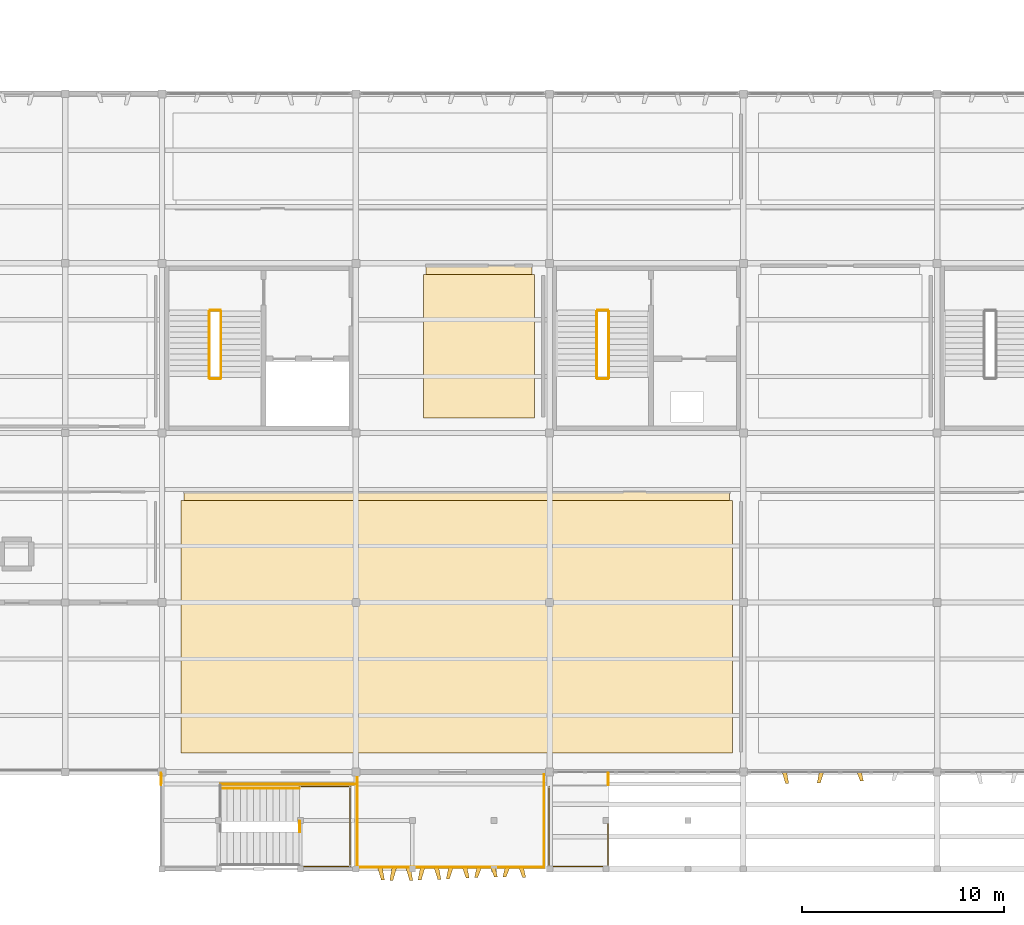
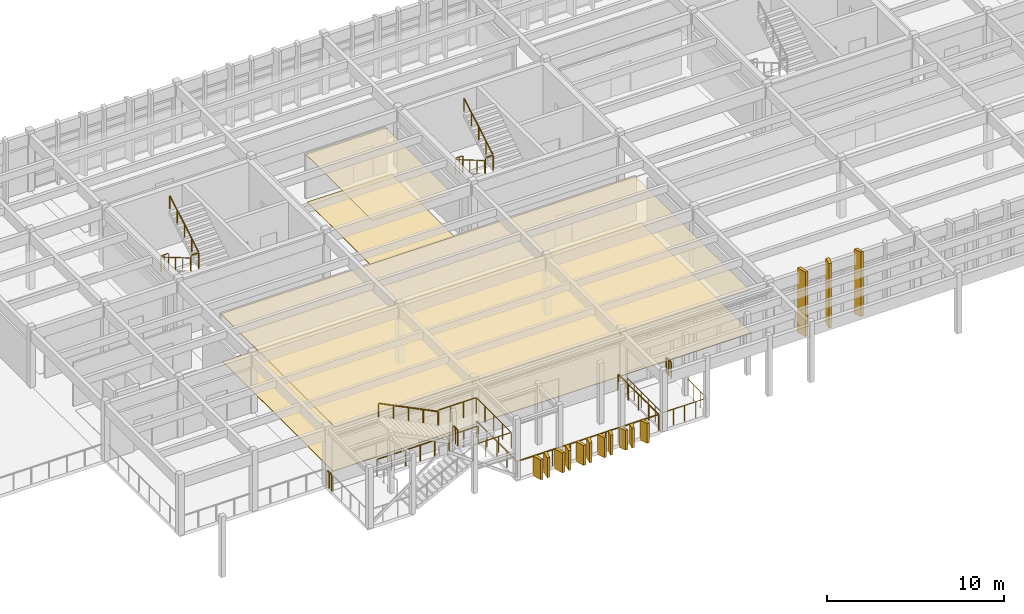
# One storey, part 38 of 42: 18 coverings, 18 railings.
"""IFC4 building model written with IfcOpenShell, lengths in metres."""

from ifc_helpers import new_model, si_unit, direction, frame, origin, origin_2d, place, context, subcontext, project, spatial, polyline, circle, outline, extrude, material, layer, layer_set, type_object, element, save


model = new_model("IFC4")

# Units and contexts
model_context = context("Model", 3, precision=1e-05, world=origin(), true_north=direction((0.0, 1.0)))
body_context = subcontext(model_context, "Body", "Model", "MODEL_VIEW")
ifc_project = project(units=[si_unit("LENGTHUNIT", "METRE"), si_unit("AREAUNIT", "SQUARE_METRE"), si_unit("VOLUMEUNIT", "CUBIC_METRE"), si_unit("PLANEANGLEUNIT", "RADIAN"), si_unit("MASSUNIT", "GRAM", prefix="KILO")], contexts=[model_context])

# Site, building, storey
site_placement = place(None, origin())
site = spatial("IfcSite", under=ifc_project, at=site_placement, CompositionType="ELEMENT")
building_placement = place(site_placement, origin())
building = spatial("IfcBuilding", under=site, at=building_placement, Name="Kolvemor Railside Polytechnic", CompositionType="ELEMENT")
storey_placement = place(building_placement, frame((0.0, 0.0, 14.39990234375)))
storey = spatial("IfcBuildingStorey", under=building, at=storey_placement, Name="L03", CompositionType="ELEMENT", Elevation=14.39990234375)

# Coverings
ifc_material_1 = material(Name="Perforated acoustic mineral-fibre and timber-slat ceiling", Category="wood")
ifc_layer_1 = layer(ifc_material_1, 0.034912109375, Name="COV-CEIL-3")
ifc_layer_set_1 = layer_set([ifc_layer_1], Name="Perforated acoustic mineral-fibre and timber-slat ceiling")
covering_type_1 = type_object("IfcCoveringType", Name="COV-CEIL-3", PredefinedType="CEILING", material=ifc_layer_set_1)
covering_1_placement = place(storey_placement, frame((0.0, 0.0, 2.9951171875)))
element("IfcCovering", 1, at=covering_1_placement, inside=storey, type_object=covering_type_1, Name="Optics and Photonics Laboratory Acoustic Ceiling", PredefinedType="CEILING", context=body_context, shape_type="SweptSolid", body=[
    extrude(outline(polyline([(80.280029296875, 22.35009765625), (85.52001953125, 22.35009765625), (85.52001953125, 29.8798828125), (80.280029296875, 29.8798828125), (80.280029296875, 22.35009765625)])), origin(), (0.0, 0.0, 1.0), 0.034912109375),
])
ifc_material_2 = material(Name="Perforated acoustic mineral-fibre and timber-slat ceiling", Category="wood")
ifc_layer_2 = layer(ifc_material_2, 0.0400390625, Name="COV-CEIL-4")
ifc_layer_set_2 = layer_set([ifc_layer_2], Name="Perforated acoustic mineral-fibre and timber-slat ceiling")
covering_type_2 = type_object("IfcCoveringType", Name="COV-CEIL-4", PredefinedType="CEILING", material=ifc_layer_set_2)
covering_2_placement = place(storey_placement, frame((0.0, 0.0, 2.989990234375)))
element("IfcCovering", 2, at=covering_2_placement, inside=storey, type_object=covering_type_2, Name="Structural Timber Engineering Design Studio Acoustic Ceiling", PredefinedType="CEILING", context=body_context, shape_type="SweptSolid", body=[
    extrude(outline(polyline([(68.280029296875, 5.75), (95.320068359375, 5.75), (95.320068359375, 18.679931640625), (68.280029296875, 18.679931640625), (68.280029296875, 5.75)])), origin(), (0.0, 0.0, 1.0), 0.0400390625),
])
ifc_material_3 = material(Name="Champagne-bronze PVDF-anodised marine aluminium 5052-H32", Category="aluminium")
ifc_layer_3 = layer(ifc_material_3, 0.179931640625, Name="COV-FIN-CHAMP")
ifc_layer_set_3 = layer_set([ifc_layer_3], Name="Champagne-bronze PVDF-anodised marine aluminium 5052-H32")
covering_type_3 = type_object("IfcCoveringType", Name="COV-FIN-CHAMP", PredefinedType="CLADDING", material=ifc_layer_set_3)
covering_3_placement = place(storey_placement, frame((0.0, 0.0, -0.219970703125)))
element("IfcCovering", 3, at=covering_3_placement, inside=storey, type_object=covering_type_3, Name="Pleated Solar Fin L03-0844", PredefinedType="CLADDING", context=body_context, shape_type="SweptSolid", body=[
    extrude(outline(polyline([(77.885009765625, 0.034912109375), (78.114990234375, 0.034912109375), (78.219970703125, -0.54296875), (78.06005859375, -0.54296875), (77.885009765625, 0.034912109375)])), origin(), (0.0, 0.0, 1.0), 1.3701171875),
])
covering_4_placement = place(storey_placement, frame((0.0, 0.0, -0.219970703125)))
element("IfcCovering", 4, at=covering_4_placement, inside=storey, type_object=covering_type_3, Name="Pleated Solar Fin L03-0845", PredefinedType="CLADDING", context=body_context, shape_type="SweptSolid", body=[
    extrude(outline(polyline([(78.5849609375, 0.034912109375), (78.81494140625, 0.034912109375), (78.639892578125, -0.56103515625), (78.47998046875, -0.56103515625), (78.5849609375, 0.034912109375)])), origin(), (0.0, 0.0, 1.0), 1.3701171875),
])
covering_5_placement = place(storey_placement, frame((0.0, 0.0, -0.219970703125)))
element("IfcCovering", 5, at=covering_5_placement, inside=storey, type_object=covering_type_3, Name="Pleated Solar Fin L03-0846", PredefinedType="CLADDING", context=body_context, shape_type="SweptSolid", body=[
    extrude(outline(polyline([(79.284912109375, 0.034912109375), (79.514892578125, 0.034912109375), (79.6201171875, -0.56396484375), (79.4599609375, -0.56396484375), (79.284912109375, 0.034912109375)])), origin(), (0.0, 0.0, 1.0), 1.3701171875),
])
covering_6_placement = place(storey_placement, frame((0.0, 0.0, -0.219970703125)))
element("IfcCovering", 6, at=covering_6_placement, inside=storey, type_object=covering_type_3, Name="Pleated Solar Fin L03-0847", PredefinedType="CLADDING", context=body_context, shape_type="SweptSolid", body=[
    extrude(outline(polyline([(79.985107421875, 0.034912109375), (80.215087890625, 0.034912109375), (80.0400390625, -0.549072265625), (79.8798828125, -0.549072265625), (79.985107421875, 0.034912109375)])), origin(), (0.0, 0.0, 1.0), 1.3701171875),
])
covering_7_placement = place(storey_placement, frame((0.0, 0.0, -0.219970703125)))
element("IfcCovering", 7, at=covering_7_placement, inside=storey, type_object=covering_type_3, Name="Pleated Solar Fin L03-0848", PredefinedType="CLADDING", context=body_context, shape_type="SweptSolid", body=[
    extrude(outline(polyline([(80.68505859375, 0.034912109375), (80.9150390625, 0.034912109375), (81.02001953125, -0.52099609375), (80.860107421875, -0.52099609375), (80.68505859375, 0.034912109375)])), origin(), (0.0, 0.0, 1.0), 1.3701171875),
])
covering_8_placement = place(storey_placement, frame((0.0, 0.0, -0.219970703125)))
element("IfcCovering", 8, at=covering_8_placement, inside=storey, type_object=covering_type_3, Name="Pleated Solar Fin L03-0849", PredefinedType="CLADDING", context=body_context, shape_type="SweptSolid", body=[
    extrude(outline(polyline([(81.385009765625, 0.034912109375), (81.614990234375, 0.034912109375), (81.43994140625, -0.485107421875), (81.280029296875, -0.485107421875), (81.385009765625, 0.034912109375)])), origin(), (0.0, 0.0, 1.0), 1.3701171875),
])
covering_9_placement = place(storey_placement, frame((0.0, 0.0, -0.219970703125)))
element("IfcCovering", 9, at=covering_9_placement, inside=storey, type_object=covering_type_3, Name="Pleated Solar Fin L03-0850", PredefinedType="CLADDING", context=body_context, shape_type="SweptSolid", body=[
    extrude(outline(polyline([(82.0849609375, 0.034912109375), (82.31494140625, 0.034912109375), (82.419921875, -0.448974609375), (82.260009765625, -0.448974609375), (82.0849609375, 0.034912109375)])), origin(), (0.0, 0.0, 1.0), 1.3701171875),
])
covering_10_placement = place(storey_placement, frame((0.0, 0.0, -0.219970703125)))
element("IfcCovering", 10, at=covering_10_placement, inside=storey, type_object=covering_type_3, Name="Pleated Solar Fin L03-0851", PredefinedType="CLADDING", context=body_context, shape_type="SweptSolid", body=[
    extrude(outline(polyline([(82.784912109375, 0.034912109375), (83.014892578125, 0.034912109375), (82.840087890625, -0.4208984375), (82.679931640625, -0.4208984375), (82.784912109375, 0.034912109375)])), origin(), (0.0, 0.0, 1.0), 1.3701171875),
])
covering_11_placement = place(storey_placement, frame((0.0, 0.0, -0.219970703125)))
element("IfcCovering", 11, at=covering_11_placement, inside=storey, type_object=covering_type_3, Name="Pleated Solar Fin L03-0852", PredefinedType="CLADDING", context=body_context, shape_type="SweptSolid", body=[
    extrude(outline(polyline([(83.485107421875, 0.034912109375), (83.715087890625, 0.034912109375), (83.820068359375, -0.406005859375), (83.659912109375, -0.406005859375), (83.485107421875, 0.034912109375)])), origin(), (0.0, 0.0, 1.0), 1.3701171875),
])
covering_12_placement = place(storey_placement, frame((0.0, 0.0, -0.219970703125)))
element("IfcCovering", 12, at=covering_12_placement, inside=storey, type_object=covering_type_3, Name="Pleated Solar Fin L03-0853", PredefinedType="CLADDING", context=body_context, shape_type="SweptSolid", body=[
    extrude(outline(polyline([(84.18505859375, 0.034912109375), (84.4150390625, 0.034912109375), (84.239990234375, -0.408935546875), (84.080078125, -0.408935546875), (84.18505859375, 0.034912109375)])), origin(), (0.0, 0.0, 1.0), 1.3701171875),
])
covering_13_placement = place(storey_placement, frame((0.0, 0.0, -0.219970703125)))
element("IfcCovering", 13, at=covering_13_placement, inside=storey, type_object=covering_type_3, Name="Pleated Solar Fin L03-0854", PredefinedType="CLADDING", context=body_context, shape_type="SweptSolid", body=[
    extrude(outline(polyline([(84.885009765625, 0.034912109375), (85.114990234375, 0.034912109375), (85.219970703125, -0.427001953125), (85.06005859375, -0.427001953125), (84.885009765625, 0.034912109375)])), origin(), (0.0, 0.0, 1.0), 1.3701171875),
])
ifc_material_4 = material(Name="Sea-mist PVDF-anodised marine aluminium 5052-H32", Category="aluminium")
ifc_layer_4 = layer(ifc_material_4, 0.159912109375, Name="COV-FIN-MIST")
ifc_layer_set_4 = layer_set([ifc_layer_4], Name="Sea-mist PVDF-anodised marine aluminium 5052-H32")
covering_type_4 = type_object("IfcCoveringType", Name="COV-FIN-MIST", PredefinedType="CLADDING", material=ifc_layer_set_4)
covering_14_placement = place(storey_placement, frame((0.0, 0.0, -0.25)))
element("IfcCovering", 14, at=covering_14_placement, inside=storey, type_object=covering_type_4, Name="Pleated Solar Fin L03-0372", PredefinedType="CLADDING", context=body_context, shape_type="SweptSolid", body=[
    extrude(outline(polyline([(97.909912109375, 4.8349609375), (98.139892578125, 4.8349609375), (98.2451171875, 4.237060546875), (98.0849609375, 4.237060546875), (97.909912109375, 4.8349609375)])), origin(), (0.0, 0.0, 1.0), 4.4501953125),
])
covering_15_placement = place(storey_placement, frame((0.0, 0.0, -0.25)))
element("IfcCovering", 15, at=covering_15_placement, inside=storey, type_object=covering_type_4, Name="Pleated Solar Fin L03-0373", PredefinedType="CLADDING", context=body_context, shape_type="SweptSolid", body=[
    extrude(outline(polyline([(99.760009765625, 4.8349609375), (99.989990234375, 4.8349609375), (99.81494140625, 4.26904296875), (99.655029296875, 4.26904296875), (99.760009765625, 4.8349609375)])), origin(), (0.0, 0.0, 1.0), 4.4501953125),
])
covering_16_placement = place(storey_placement, frame((0.0, 0.0, -0.25)))
element("IfcCovering", 16, at=covering_16_placement, inside=storey, type_object=covering_type_4, Name="Pleated Solar Fin L03-0374", PredefinedType="CLADDING", context=body_context, shape_type="SweptSolid", body=[
    extrude(outline(polyline([(101.610107421875, 4.8349609375), (101.840087890625, 4.8349609375), (101.945068359375, 4.361083984375), (101.784912109375, 4.361083984375), (101.610107421875, 4.8349609375)])), origin(), (0.0, 0.0, 1.0), 4.4501953125),
])
ifc_material_5 = material(Name="Polished coral-aggregate terrazzo and laboratory epoxy flooring")
ifc_layer_5 = layer(ifc_material_5, 0.030029296875, Name="COV-FLR-3")
ifc_layer_set_5 = layer_set([ifc_layer_5], Name="Polished coral-aggregate terrazzo and laboratory epoxy flooring")
covering_type_5 = type_object("IfcCoveringType", Name="COV-FLR-3", PredefinedType="FLOORING", material=ifc_layer_set_5)
covering_17_placement = place(storey_placement, origin())
element("IfcCovering", 17, at=covering_17_placement, inside=storey, type_object=covering_type_5, Name="Optics and Photonics Laboratory Floor Finish", PredefinedType="FLOORING", context=body_context, shape_type="SweptSolid", body=[
    extrude(outline(polyline([(80.14990234375, 22.35009765625), (85.64990234375, 22.35009765625), (85.64990234375, 29.449951171875), (80.14990234375, 29.449951171875), (80.14990234375, 22.35009765625)])), origin(), (0.0, 0.0, 1.0), 0.030029296875),
])
ifc_material_6 = material(Name="Polished coral-aggregate terrazzo and laboratory epoxy flooring")
ifc_layer_6 = layer(ifc_material_6, 0.034912109375, Name="COV-FLR-4")
ifc_layer_set_6 = layer_set([ifc_layer_6], Name="Polished coral-aggregate terrazzo and laboratory epoxy flooring")
covering_type_6 = type_object("IfcCoveringType", Name="COV-FLR-4", PredefinedType="FLOORING", material=ifc_layer_set_6)
covering_18_placement = place(storey_placement, origin())
element("IfcCovering", 18, at=covering_18_placement, inside=storey, type_object=covering_type_6, Name="Structural Timber Engineering Design Studio Floor Finish", PredefinedType="FLOORING", context=body_context, shape_type="SweptSolid", body=[
    extrude(outline(polyline([(68.14990234375, 5.75), (95.449951171875, 5.75), (95.449951171875, 18.25), (68.14990234375, 18.25), (68.14990234375, 5.75)])), origin(), (0.0, 0.0, 1.0), 0.03515625),
])

# Railings
ifc_material_7 = material(Name="AISI 316 marine stainless-steel balustrade guard", Category="steel")
railing_type_1 = type_object("IfcRailingType", Name="RLG-GUARD-1120", PredefinedType="BALUSTRADE", material=ifc_material_7)
railing_1_placement = place(storey_placement, frame((76.8798828125, 0.080078125, 0.0)))
element("IfcRailing", 19, at=railing_1_placement, inside=storey, type_object=railing_type_1, Name="Shifted South Terrace L03 S Guard GR-018", PredefinedType="BALUSTRADE", context=body_context, shape_type="SweptSolid", body=[
    extrude(circle(Radius=0.02392578125, at=origin_2d()), frame((0.054931640625, 0.0, 1.09619140625), z_axis=(1.0, 0.0, 0.0), x_axis=(0.0, 1.0, 0.0)), (0.0, 0.0, 1.0), 9.130126953125),
    extrude(circle(Radius=0.02099609375, at=origin_2d()), origin(), (0.0, 0.0, 1.0), 1.05712890625),
    extrude(circle(Radius=0.02099609375, at=origin_2d()), frame((1.155029296875, 0.0, 0.0)), (0.0, 0.0, 1.0), 1.05712890625),
    extrude(circle(Radius=0.02099609375, at=origin_2d()), frame((2.31005859375, 0.0, 0.0)), (0.0, 0.0, 1.0), 1.05712890625),
    extrude(circle(Radius=0.02099609375, at=origin_2d()), frame((3.465087890625, 0.0, 0.0)), (0.0, 0.0, 1.0), 1.05712890625),
    extrude(circle(Radius=0.02099609375, at=origin_2d()), frame((4.6201171875, 0.0, 0.0)), (0.0, 0.0, 1.0), 1.05712890625),
    extrude(circle(Radius=0.02099609375, at=origin_2d()), frame((5.775146484375, 0.0, 0.0)), (0.0, 0.0, 1.0), 1.05712890625),
    extrude(circle(Radius=0.02099609375, at=origin_2d()), frame((6.93017578125, 0.0, 0.0)), (0.0, 0.0, 1.0), 1.05712890625),
    extrude(circle(Radius=0.02099609375, at=origin_2d()), frame((8.085205078125, 0.0, 0.0)), (0.0, 0.0, 1.0), 1.05712890625),
    extrude(circle(Radius=0.02099609375, at=origin_2d()), frame((9.240234375, 0.0, 0.0)), (0.0, 0.0, 1.0), 1.05712890625),
])
railing_2_placement = place(storey_placement, frame((86.1201171875, 0.080078125, 0.0)))
element("IfcRailing", 20, at=railing_2_placement, inside=storey, type_object=railing_type_1, Name="Shifted South Terrace L03 E Guard GR-019", PredefinedType="BALUSTRADE", context=body_context, shape_type="SweptSolid", body=[
    extrude(circle(Radius=0.02392578125, at=origin_2d()), frame((0.0, 0.054931640625, 1.09619140625), z_axis=(0.0, 1.0, 0.0), x_axis=(-1.0, 0.0, 0.0)), (0.0, 0.0, 1.0), 4.4697265625),
    extrude(circle(Radius=0.02099609375, at=origin_2d()), origin(), (0.0, 0.0, 1.0), 1.05712890625),
    extrude(circle(Radius=0.02099609375, at=origin_2d()), frame((0.0, 1.14501953125, 0.0)), (0.0, 0.0, 1.0), 1.05712890625),
    extrude(circle(Radius=0.02099609375, at=origin_2d()), frame((0.0, 2.2900390625, 0.0)), (0.0, 0.0, 1.0), 1.05712890625),
    extrude(circle(Radius=0.02099609375, at=origin_2d()), frame((0.0, 3.434814453125, 0.0)), (0.0, 0.0, 1.0), 1.05712890625),
    extrude(circle(Radius=0.02099609375, at=origin_2d()), frame((0.0, 4.579833984375, 0.0)), (0.0, 0.0, 1.0), 1.05712890625),
])
railing_3_placement = place(storey_placement, frame((76.8798828125, 4.659912109375, 0.0)))
element("IfcRailing", 21, at=railing_3_placement, inside=storey, type_object=railing_type_1, Name="Shifted South Terrace L03 W Guard GR-020", PredefinedType="BALUSTRADE", context=body_context, shape_type="SweptSolid", body=[
    extrude(circle(Radius=0.02392578125, at=origin_2d()), frame((0.0, -0.054931640625, 1.09619140625), z_axis=(0.0, -1.0, 0.0), x_axis=(1.0, 0.0, 0.0)), (0.0, 0.0, 1.0), 4.4697265625),
    extrude(circle(Radius=0.02099609375, at=origin_2d()), origin(), (0.0, 0.0, 1.0), 1.05712890625),
    extrude(circle(Radius=0.02099609375, at=origin_2d()), frame((0.0, -1.14501953125, 0.0)), (0.0, 0.0, 1.0), 1.05712890625),
    extrude(circle(Radius=0.02099609375, at=origin_2d()), frame((0.0, -2.2900390625, 0.0)), (0.0, 0.0, 1.0), 1.05712890625),
    extrude(circle(Radius=0.02099609375, at=origin_2d()), frame((0.0, -3.434814453125, 0.0)), (0.0, 0.0, 1.0), 1.05712890625),
    extrude(circle(Radius=0.02099609375, at=origin_2d()), frame((0.0, -4.579833984375, 0.0)), (0.0, 0.0, 1.0), 1.05712890625),
])
railing_4_placement = place(storey_placement, frame((69.580078125, 27.679931640625, 0.0)))
element("IfcRailing", 22, at=railing_4_placement, inside=storey, type_object=railing_type_1, Name="ST-1 Floor Slot Guard L03", PredefinedType="BALUSTRADE", context=body_context, shape_type="SweptSolid", body=[
    extrude(circle(Radius=0.02392578125, at=origin_2d()), frame((0.054931640625, 0.0, 1.09619140625), z_axis=(1.0, 0.0, 0.0), x_axis=(0.0, 1.0, 0.0)), (0.0, 0.0, 1.0), 0.389892578125),
    extrude(circle(Radius=0.02099609375, at=origin_2d()), origin(), (0.0, 0.0, 1.0), 1.05712890625),
    extrude(circle(Radius=0.02099609375, at=origin_2d()), frame((0.25, 0.0, 0.0)), (0.0, 0.0, 1.0), 1.05712890625),
    extrude(circle(Radius=0.02099609375, at=origin_2d()), frame((0.5, 0.0, 0.0)), (0.0, 0.0, 1.0), 1.05712890625),
])
railing_5_placement = place(storey_placement, frame((69.580078125, 24.280029296875, 2.10009765625)))
element("IfcRailing", 23, at=railing_5_placement, inside=storey, type_object=railing_type_1, Name="ST-1 Half-Landing Slot Guard L03", PredefinedType="BALUSTRADE", context=body_context, shape_type="SweptSolid", body=[
    extrude(circle(Radius=0.02392578125, at=origin_2d()), frame((0.054931640625, 0.0, 1.09619140625), z_axis=(1.0, 0.0, 0.0), x_axis=(0.0, 1.0, 0.0)), (0.0, 0.0, 1.0), 0.389892578125),
    extrude(circle(Radius=0.02099609375, at=origin_2d()), origin(), (0.0, 0.0, 1.0), 1.05712890625),
    extrude(circle(Radius=0.02099609375, at=origin_2d()), frame((0.5, 0.0, 0.0)), (0.0, 0.0, 1.0), 1.05712890625),
])
railing_6_placement = place(storey_placement, frame((88.780029296875, 27.679931640625, 0.0)))
element("IfcRailing", 24, at=railing_6_placement, inside=storey, type_object=railing_type_1, Name="ST-3 Floor Slot Guard L03", PredefinedType="BALUSTRADE", context=body_context, shape_type="SweptSolid", body=[
    extrude(circle(Radius=0.02392578125, at=origin_2d()), frame((0.054931640625, 0.0, 1.09619140625), z_axis=(1.0, 0.0, 0.0), x_axis=(0.0, 1.0, 0.0)), (0.0, 0.0, 1.0), 0.389892578125),
    extrude(circle(Radius=0.02099609375, at=origin_2d()), origin(), (0.0, 0.0, 1.0), 1.05712890625),
    extrude(circle(Radius=0.02099609375, at=origin_2d()), frame((0.25, 0.0, 0.0)), (0.0, 0.0, 1.0), 1.05712890625),
    extrude(circle(Radius=0.02099609375, at=origin_2d()), frame((0.5, 0.0, 0.0)), (0.0, 0.0, 1.0), 1.05712890625),
])
railing_7_placement = place(storey_placement, frame((88.780029296875, 24.280029296875, 2.10009765625)))
element("IfcRailing", 25, at=railing_7_placement, inside=storey, type_object=railing_type_1, Name="ST-3 Half-Landing Slot Guard L03", PredefinedType="BALUSTRADE", context=body_context, shape_type="SweptSolid", body=[
    extrude(circle(Radius=0.02392578125, at=origin_2d()), frame((0.054931640625, 0.0, 1.09619140625), z_axis=(1.0, 0.0, 0.0), x_axis=(0.0, 1.0, 0.0)), (0.0, 0.0, 1.0), 0.389892578125),
    extrude(circle(Radius=0.02099609375, at=origin_2d()), origin(), (0.0, 0.0, 1.0), 1.05712890625),
    extrude(circle(Radius=0.02099609375, at=origin_2d()), frame((0.5, 0.0, 0.0)), (0.0, 0.0, 1.0), 1.05712890625),
])
railing_8_placement = place(storey_placement, frame((70.110107421875, 4.199951171875, 0.0)))
element("IfcRailing", 26, at=railing_8_placement, inside=storey, type_object=railing_type_1, Name="ST-EXT Rear Gallery South Guard L03-1", PredefinedType="BALUSTRADE", context=body_context, shape_type="SweptSolid", body=[
    extrude(circle(Radius=0.02392578125, at=origin_2d()), frame((0.054931640625, 0.0, 1.09619140625), z_axis=(1.0, 0.0, 0.0), x_axis=(0.0, 1.0, 0.0)), (0.0, 0.0, 1.0), 6.499755859375),
    extrude(circle(Radius=0.02099609375, at=origin_2d()), origin(), (0.0, 0.0, 1.0), 1.05712890625),
    extrude(circle(Radius=0.02099609375, at=origin_2d()), frame((0.9443359375, 0.0, 0.0)), (0.0, 0.0, 1.0), 1.05712890625),
    extrude(circle(Radius=0.02099609375, at=origin_2d()), frame((1.888427734375, 0.0, 0.0)), (0.0, 0.0, 1.0), 1.05712890625),
    extrude(circle(Radius=0.02099609375, at=origin_2d()), frame((2.832763671875, 0.0, 0.0)), (0.0, 0.0, 1.0), 1.05712890625),
    extrude(circle(Radius=0.02099609375, at=origin_2d()), frame((3.777099609375, 0.0, 0.0)), (0.0, 0.0, 1.0), 1.05712890625),
    extrude(circle(Radius=0.02099609375, at=origin_2d()), frame((4.721435546875, 0.0, 0.0)), (0.0, 0.0, 1.0), 1.05712890625),
    extrude(circle(Radius=0.02099609375, at=origin_2d()), frame((5.66552734375, 0.0, 0.0)), (0.0, 0.0, 1.0), 1.05712890625),
    extrude(circle(Radius=0.02099609375, at=origin_2d()), frame((6.60986328125, 0.0, 0.0)), (0.0, 0.0, 1.0), 1.05712890625),
])
for number, where, name in (
    (27, (67.14990234375, 4.179931640625, 0.0), "ST-EXT Rear Gallery West End Guard L03-1"),
    (28, (89.300048828125, 4.179931640625, 0.0), "ST-EXT Rear Gallery East End Guard L03-2"),
):
    element("IfcRailing", number, at=place(storey_placement, frame(where)), inside=storey, type_object=railing_type_1, Name=name, PredefinedType="BALUSTRADE", context=body_context, shape_type="SweptSolid", body=[
        extrude(circle(Radius=0.02392578125, at=origin_2d()), frame((0.0, 0.054931640625, 1.09619140625), z_axis=(0.0, 1.0, 0.0), x_axis=(-1.0, 0.0, 0.0)), (0.0, 0.0, 1.0), 0.449951171875),
        extrude(circle(Radius=0.02099609375, at=origin_2d()), origin(), (0.0, 0.0, 1.0), 1.05712890625),
        extrude(circle(Radius=0.02099609375, at=origin_2d()), frame((0.0, 0.280029296875, 0.0)), (0.0, 0.0, 1.0), 1.05712890625),
        extrude(circle(Radius=0.02099609375, at=origin_2d()), frame((0.0, 0.56005859375, 0.0)), (0.0, 0.0, 1.0), 1.05712890625),
    ])
railing_9_placement = place(storey_placement, frame((89.280029296875, 2.340087890625, 0.0)))
element("IfcRailing", 29, at=railing_9_placement, inside=storey, type_object=railing_type_1, Name="ST-EXT Arrival Landing Perimeter Guard L03", PredefinedType="BALUSTRADE", context=body_context, shape_type="SweptSolid", body=[
    extrude(circle(Radius=0.02392578125, at=origin_2d()), frame((0.0, -0.054931640625, 1.09619140625), z_axis=(0.0, -1.0, 0.0), x_axis=(1.0, 0.0, 0.0)), (0.0, 0.0, 1.0), 2.10986328125),
    extrude(circle(Radius=0.02392578125, at=origin_2d()), frame((-0.054931640625, -2.219970703125, 1.09619140625), z_axis=(-1.0, 0.0, 0.0), x_axis=(0.0, -1.0, 0.0)), (0.0, 0.0, 1.0), 2.7998046875),
    extrude(circle(Radius=0.02392578125, at=origin_2d()), frame((-2.909912109375, -2.1650390625, 1.09619140625), z_axis=(0.0, 1.0, 0.0), x_axis=(-1.0, 0.0, 0.0)), (0.0, 0.0, 1.0), 3.849853515625),
    extrude(circle(Radius=0.02099609375, at=origin_2d()), origin(), (0.0, 0.0, 1.0), 1.05712890625),
    extrude(circle(Radius=0.02099609375, at=origin_2d()), frame((0.0, -0.739990234375, 0.0)), (0.0, 0.0, 1.0), 1.05712890625),
    extrude(circle(Radius=0.02099609375, at=origin_2d()), frame((0.0, -1.47998046875, 0.0)), (0.0, 0.0, 1.0), 1.05712890625),
    extrude(circle(Radius=0.02099609375, at=origin_2d()), frame((0.0, -2.219970703125, 0.0)), (0.0, 0.0, 1.0), 1.05712890625),
    extrude(circle(Radius=0.02099609375, at=origin_2d()), frame((-0.7275390625, -2.219970703125, 0.0)), (0.0, 0.0, 1.0), 1.05712890625),
    extrude(circle(Radius=0.02099609375, at=origin_2d()), frame((-1.455078125, -2.219970703125, 0.0)), (0.0, 0.0, 1.0), 1.05712890625),
    extrude(circle(Radius=0.02099609375, at=origin_2d()), frame((-2.182373046875, -2.219970703125, 0.0)), (0.0, 0.0, 1.0), 1.05712890625),
    extrude(circle(Radius=0.02099609375, at=origin_2d()), frame((-2.909912109375, -2.219970703125, 0.0)), (0.0, 0.0, 1.0), 1.05712890625),
    extrude(circle(Radius=0.02099609375, at=origin_2d()), frame((-2.909912109375, -1.427978515625, 0.0)), (0.0, 0.0, 1.0), 1.05712890625),
    extrude(circle(Radius=0.02099609375, at=origin_2d()), frame((-2.909912109375, -0.635986328125, 0.0)), (0.0, 0.0, 1.0), 1.05712890625),
    extrude(circle(Radius=0.02099609375, at=origin_2d()), frame((-2.909912109375, 0.156005859375, 0.0)), (0.0, 0.0, 1.0), 1.05712890625),
    extrude(circle(Radius=0.02099609375, at=origin_2d()), frame((-2.909912109375, 0.947998046875, 0.0)), (0.0, 0.0, 1.0), 1.05712890625),
    extrude(circle(Radius=0.02099609375, at=origin_2d()), frame((-2.909912109375, 1.739990234375, 0.0)), (0.0, 0.0, 1.0), 1.05712890625),
])
railing_10_placement = place(storey_placement, frame((74.02001953125, 0.1201171875, 2.10009765625)))
element("IfcRailing", 30, at=railing_10_placement, inside=storey, type_object=railing_type_1, Name="ST-EXT Half-Landing Perimeter Guard L03", PredefinedType="BALUSTRADE", context=body_context, shape_type="SweptSolid", body=[
    extrude(circle(Radius=0.02392578125, at=origin_2d()), frame((0.054931640625, 0.0, 1.09619140625), z_axis=(1.0, 0.0, 0.0), x_axis=(0.0, 1.0, 0.0)), (0.0, 0.0, 1.0), 2.389892578125),
    extrude(circle(Radius=0.02392578125, at=origin_2d()), frame((2.5, 0.054931640625, 1.09619140625), z_axis=(0.0, 1.0, 0.0), x_axis=(-1.0, 0.0, 0.0)), (0.0, 0.0, 1.0), 3.849853515625),
    extrude(circle(Radius=0.02392578125, at=origin_2d()), frame((2.445068359375, 3.9599609375, 1.09619140625), z_axis=(-1.0, 0.0, 0.0), x_axis=(0.0, -1.0, 0.0)), (0.0, 0.0, 1.0), 2.389892578125),
    extrude(circle(Radius=0.02099609375, at=origin_2d()), origin(), (0.0, 0.0, 1.0), 1.05712890625),
    extrude(circle(Radius=0.02099609375, at=origin_2d()), frame((0.833251953125, 0.0, 0.0)), (0.0, 0.0, 1.0), 1.05712890625),
    extrude(circle(Radius=0.02099609375, at=origin_2d()), frame((1.666748046875, 0.0, 0.0)), (0.0, 0.0, 1.0), 1.05712890625),
    extrude(circle(Radius=0.02099609375, at=origin_2d()), frame((2.5, 0.0, 0.0)), (0.0, 0.0, 1.0), 1.05712890625),
    extrude(circle(Radius=0.02099609375, at=origin_2d()), frame((2.5, 0.989990234375, 0.0)), (0.0, 0.0, 1.0), 1.05712890625),
    extrude(circle(Radius=0.02099609375, at=origin_2d()), frame((2.5, 1.97998046875, 0.0)), (0.0, 0.0, 1.0), 1.05712890625),
    extrude(circle(Radius=0.02099609375, at=origin_2d()), frame((2.5, 2.969970703125, 0.0)), (0.0, 0.0, 1.0), 1.05712890625),
    extrude(circle(Radius=0.02099609375, at=origin_2d()), frame((2.5, 3.9599609375, 0.0)), (0.0, 0.0, 1.0), 1.05712890625),
    extrude(circle(Radius=0.02099609375, at=origin_2d()), frame((1.666748046875, 3.9599609375, 0.0)), (0.0, 0.0, 1.0), 1.05712890625),
    extrude(circle(Radius=0.02099609375, at=origin_2d()), frame((0.833251953125, 3.9599609375, 0.0)), (0.0, 0.0, 1.0), 1.05712890625),
    extrude(circle(Radius=0.02099609375, at=origin_2d()), frame((0.0, 3.9599609375, 0.0)), (0.0, 0.0, 1.0), 1.05712890625),
])
railing_11_placement = place(storey_placement, frame((74.02001953125, 1.840087890625, 2.10009765625)))
element("IfcRailing", 31, at=railing_11_placement, inside=storey, type_object=railing_type_1, Name="ST-EXT Half-Landing Slot Guard L03", PredefinedType="BALUSTRADE", context=body_context, shape_type="SweptSolid", body=[
    extrude(circle(Radius=0.02392578125, at=origin_2d()), frame((0.0, 0.054931640625, 1.09619140625), z_axis=(0.0, 1.0, 0.0), x_axis=(-1.0, 0.0, 0.0)), (0.0, 0.0, 1.0), 0.409912109375),
    extrude(circle(Radius=0.02099609375, at=origin_2d()), origin(), (0.0, 0.0, 1.0), 1.05712890625),
    extrude(circle(Radius=0.02099609375, at=origin_2d()), frame((0.0, 0.260009765625, 0.0)), (0.0, 0.0, 1.0), 1.05712890625),
    extrude(circle(Radius=0.02099609375, at=origin_2d()), frame((0.0, 0.52001953125, 0.0)), (0.0, 0.0, 1.0), 1.05712890625),
])
ifc_material_8 = material(Name="Brushed AISI 316 stainless-steel stair handrail", Category="steel")
railing_type_2 = type_object("IfcRailingType", Name="RLG-HANDRAIL-920", PredefinedType="HANDRAIL", material=ifc_material_8)
railing_12_placement = place(storey_placement, frame((69.5400390625, 27.6201171875, 0.16162109375)))
element("IfcRailing", 32, at=railing_12_placement, inside=storey, type_object=railing_type_2, Name="ST-1 Flight 1 Handrail L03", PredefinedType="HANDRAIL", context=body_context, shape_type="SweptSolid", body=[
    extrude(circle(Radius=0.02392578125, at=origin_2d()), frame((0.0, -0.04736328125, 0.923828125), z_axis=(0.0, -0.862245621732, 0.506490362991), x_axis=(1.0, 0.0, 0.0)), (0.0, 0.0, 1.0), 3.71728515625),
    extrude(circle(Radius=0.02099609375, at=origin_2d()), origin(), (0.0, 0.0, 1.0), 0.85693359375),
    extrude(circle(Radius=0.02099609375, at=origin_2d()), frame((0.0, -0.824951171875, 0.484619140625)), (0.0, 0.0, 1.0), 0.85693359375),
    extrude(circle(Radius=0.02099609375, at=origin_2d()), frame((0.0, -1.64990234375, 0.96923828125)), (0.0, 0.0, 1.0), 0.85693359375),
    extrude(circle(Radius=0.02099609375, at=origin_2d()), frame((0.0, -2.47509765625, 1.453857421875)), (0.0, 0.0, 1.0), 0.85693359375),
    extrude(circle(Radius=0.02099609375, at=origin_2d()), frame((0.0, -3.300048828125, 1.9384765625)), (0.0, 0.0, 1.0), 0.85693359375),
])
railing_13_placement = place(storey_placement, frame((70.1201171875, 24.320068359375, 2.26171875)))
element("IfcRailing", 33, at=railing_13_placement, inside=storey, type_object=railing_type_2, Name="ST-1 Flight 2 Handrail L03", PredefinedType="HANDRAIL", context=body_context, shape_type="SweptSolid", body=[
    extrude(circle(Radius=0.02392578125, at=origin_2d()), frame((0.0, 0.04736328125, 0.923828125), z_axis=(0.0, 0.862245621732, 0.506490362991), x_axis=(-1.0, 0.0, 0.0)), (0.0, 0.0, 1.0), 3.71728515625),
    extrude(circle(Radius=0.02099609375, at=origin_2d()), origin(), (0.0, 0.0, 1.0), 0.85693359375),
    extrude(circle(Radius=0.02099609375, at=origin_2d()), frame((0.0, 0.824951171875, 0.484619140625)), (0.0, 0.0, 1.0), 0.85693359375),
    extrude(circle(Radius=0.02099609375, at=origin_2d()), frame((0.0, 1.64990234375, 0.96923828125)), (0.0, 0.0, 1.0), 0.85693359375),
    extrude(circle(Radius=0.02099609375, at=origin_2d()), frame((0.0, 2.47509765625, 1.453857421875)), (0.0, 0.0, 1.0), 0.85693359375),
    extrude(circle(Radius=0.02099609375, at=origin_2d()), frame((0.0, 3.300048828125, 1.9384765625)), (0.0, 0.0, 1.0), 0.85693359375),
])
railing_14_placement = place(storey_placement, frame((88.739990234375, 27.6201171875, 0.16162109375)))
element("IfcRailing", 34, at=railing_14_placement, inside=storey, type_object=railing_type_2, Name="ST-3 Flight 1 Handrail L03", PredefinedType="HANDRAIL", context=body_context, shape_type="SweptSolid", body=[
    extrude(circle(Radius=0.02392578125, at=origin_2d()), frame((0.0, -0.04736328125, 0.923828125), z_axis=(0.0, -0.862245621732, 0.506490362991), x_axis=(1.0, 0.0, 0.0)), (0.0, 0.0, 1.0), 3.71728515625),
    extrude(circle(Radius=0.02099609375, at=origin_2d()), origin(), (0.0, 0.0, 1.0), 0.85693359375),
    extrude(circle(Radius=0.02099609375, at=origin_2d()), frame((0.0, -0.824951171875, 0.484619140625)), (0.0, 0.0, 1.0), 0.85693359375),
    extrude(circle(Radius=0.02099609375, at=origin_2d()), frame((0.0, -1.64990234375, 0.96923828125)), (0.0, 0.0, 1.0), 0.85693359375),
    extrude(circle(Radius=0.02099609375, at=origin_2d()), frame((0.0, -2.47509765625, 1.453857421875)), (0.0, 0.0, 1.0), 0.85693359375),
    extrude(circle(Radius=0.02099609375, at=origin_2d()), frame((0.0, -3.300048828125, 1.9384765625)), (0.0, 0.0, 1.0), 0.85693359375),
])
railing_15_placement = place(storey_placement, frame((89.320068359375, 24.320068359375, 2.26171875)))
element("IfcRailing", 35, at=railing_15_placement, inside=storey, type_object=railing_type_2, Name="ST-3 Flight 2 Handrail L03", PredefinedType="HANDRAIL", context=body_context, shape_type="SweptSolid", body=[
    extrude(circle(Radius=0.02392578125, at=origin_2d()), frame((0.0, 0.04736328125, 0.923828125), z_axis=(0.0, 0.862245621732, 0.506490362991), x_axis=(-1.0, 0.0, 0.0)), (0.0, 0.0, 1.0), 3.71728515625),
    extrude(circle(Radius=0.02099609375, at=origin_2d()), origin(), (0.0, 0.0, 1.0), 0.85693359375),
    extrude(circle(Radius=0.02099609375, at=origin_2d()), frame((0.0, 0.824951171875, 0.484619140625)), (0.0, 0.0, 1.0), 0.85693359375),
    extrude(circle(Radius=0.02099609375, at=origin_2d()), frame((0.0, 1.64990234375, 0.96923828125)), (0.0, 0.0, 1.0), 0.85693359375),
    extrude(circle(Radius=0.02099609375, at=origin_2d()), frame((0.0, 2.47509765625, 1.453857421875)), (0.0, 0.0, 1.0), 0.85693359375),
    extrude(circle(Radius=0.02099609375, at=origin_2d()), frame((0.0, 3.300048828125, 1.9384765625)), (0.0, 0.0, 1.0), 0.85693359375),
])
railing_16_placement = place(storey_placement, frame((74.0, 4.0, 2.26171875)))
element("IfcRailing", 36, at=railing_16_placement, inside=storey, type_object=railing_type_2, Name="ST-EXT Flight 2 Handrail L03", PredefinedType="HANDRAIL", context=body_context, shape_type="SweptSolid", body=[
    extrude(circle(Radius=0.02392578125, at=origin_2d()), frame((-0.04931640625, 0.0, 0.92041015625), z_axis=(-0.895478607335, 0.0, 0.44510455379), x_axis=(0.0, -1.0, 0.0)), (0.0, 0.0, 1.0), 4.2451171875),
    extrude(circle(Radius=0.02099609375, at=origin_2d()), origin(), (0.0, 0.0, 1.0), 0.85693359375),
    extrude(circle(Radius=0.02099609375, at=origin_2d()), frame((-0.97509765625, 0.0, 0.484619140625)), (0.0, 0.0, 1.0), 0.85693359375),
    extrude(circle(Radius=0.02099609375, at=origin_2d()), frame((-1.949951171875, 0.0, 0.96923828125)), (0.0, 0.0, 1.0), 0.85693359375),
    extrude(circle(Radius=0.02099609375, at=origin_2d()), frame((-2.9248046875, 0.0, 1.453857421875)), (0.0, 0.0, 1.0), 0.85693359375),
    extrude(circle(Radius=0.02099609375, at=origin_2d()), frame((-3.89990234375, 0.0, 1.9384765625)), (0.0, 0.0, 1.0), 0.85693359375),
])

save(model, "model.ifc")
